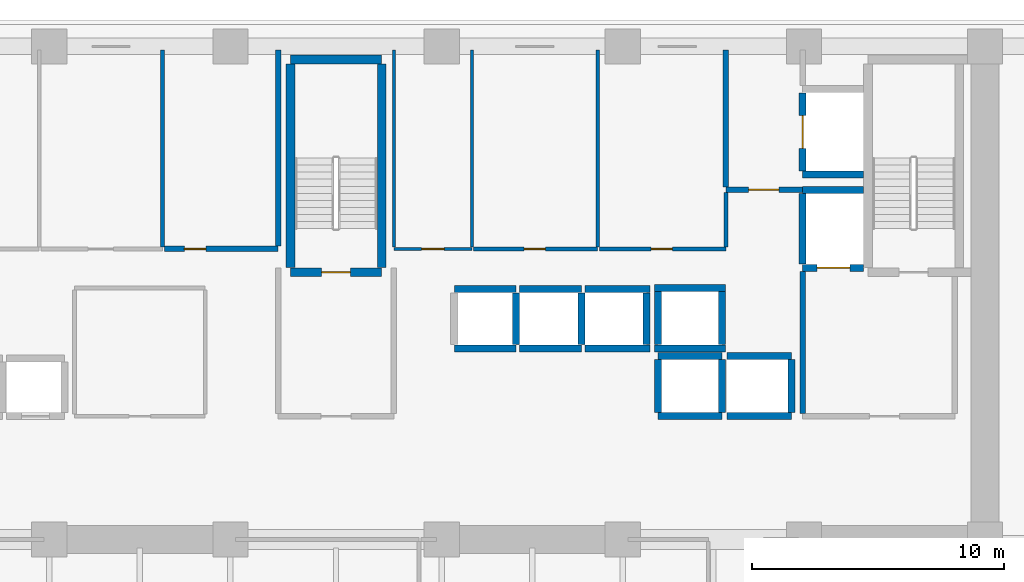
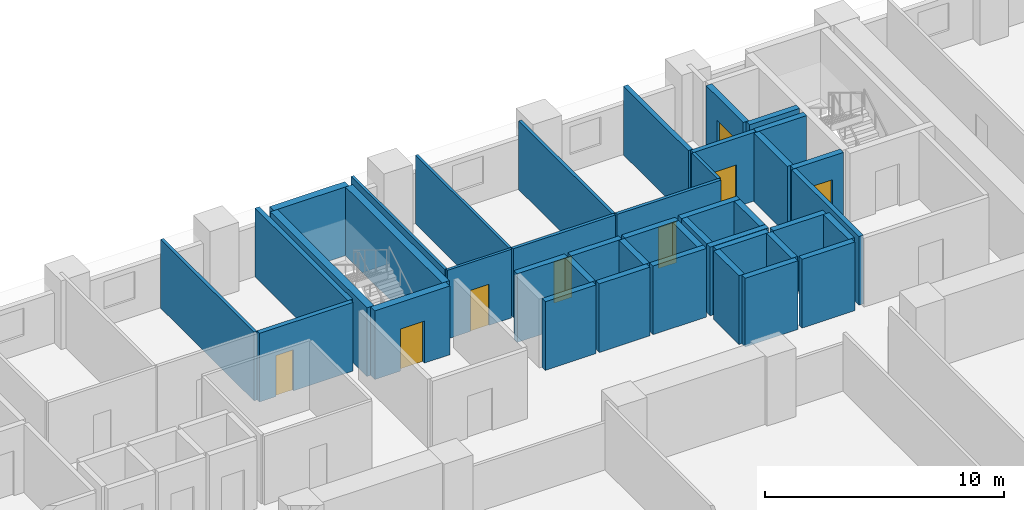
# One storey, part 8 of 15: 42 walls, 8 doors, 8 openings.
"""IFC4 building model written with IfcOpenShell, lengths in metres."""

from ifc_helpers import new_model, si_unit, direction, frame, frame_2d, origin, place, context, subcontext, project, spatial, rectangle, extrude, material, layer, layer_set, type_object, element, fill, save


model = new_model("IFC4")

# Units and contexts
model_context = context("Model", 3, precision=1e-05, world=origin(), true_north=direction((0.0, 1.0)))
body_context = subcontext(model_context, "Body", "Model", "MODEL_VIEW")
ifc_project = project(units=[si_unit("LENGTHUNIT", "METRE"), si_unit("AREAUNIT", "SQUARE_METRE"), si_unit("VOLUMEUNIT", "CUBIC_METRE"), si_unit("PLANEANGLEUNIT", "RADIAN"), si_unit("MASSUNIT", "GRAM", prefix="KILO")], contexts=[model_context])

# Site, building, storey
site_placement = place(None, origin())
site = spatial("IfcSite", under=ifc_project, at=site_placement, CompositionType="ELEMENT")
building_placement = place(site_placement, origin())
building = spatial("IfcBuilding", under=site, at=building_placement, Name="Kaelvorn Grand Hotel", CompositionType="ELEMENT")
storey_placement = place(building_placement, frame((0.0, 0.0, 65.14990234375)))
storey = spatial("IfcBuildingStorey", under=building, at=storey_placement, Name="L14", CompositionType="ELEMENT", Elevation=65.14990234375)

# Wall, opening, door
ifc_material_1 = material(Name="Moisture-Resistant Tile & Stud Board")
ifc_layer_1 = layer(ifc_material_1, 0.125)
ifc_layer_set_1 = layer_set([ifc_layer_1], Name="Moisture-Resistant Tile & Stud Board")
wall_type_1 = type_object("IfcWallType", Name="WL-PART-125-WET", PredefinedType="PARTITIONING", material=ifc_layer_set_1)
wall_1_placement = place(storey_placement, frame((44.300048828125, 40.949951171875, 0.0), z_axis=(0.0, 0.0, 1.0), x_axis=(1.0, 0.0, 0.0)))
wall_1 = element("IfcWall", 1, at=wall_1_placement, inside=storey, type_object=wall_type_1, Name="L14 Accessible WC S Partition", PredefinedType="PARTITIONING", context=body_context, shape_type="SweptSolid", body=[
    extrude(rectangle(XDim=3.099853515625, YDim=0.125, at=frame_2d((1.5498046875, 0.0))), origin(), (0.0, 0.0, 1.0), 3.510009765625),
])
opening_1_placement = place(wall_1_placement, frame((1.10009765625, 0.0, 0.0)))
opening_1 = element("IfcOpeningElement", 2, at=opening_1_placement, cuts=wall_1, Name="Opening DI4", PredefinedType="OPENING", context=body_context, shape_type="SweptSolid", body=[
    extrude(rectangle(XDim=0.89990234375, YDim=2.10009765625, at=frame_2d((0.449951171875, 1.050048828125))), frame((0.0, 0.072509765625, 0.0), z_axis=(0.0, -1.0, 0.0), x_axis=(1.0, 0.0, 0.0)), (0.0, 0.0, 1.0), 0.14501953125),
])
ifc_material_2 = material(Name="Timber Veneer Leaf", Category="wood")
door_type_1 = type_object("IfcDoorType", Name="DR-INT-BATH-900x2100", OperationType="NOTDEFINED", PredefinedType="DOOR", material=ifc_material_2)
door_1_placement = place(opening_1_placement, origin())
door_1 = element("IfcDoor", 3, at=door_1_placement, inside=storey, type_object=door_type_1, Name="L14 Accessible WC Door", OperationType="SINGLE_SWING_RIGHT", OverallHeight=2.10009765625, OverallWidth=0.89990234375, PredefinedType="DOOR", context=body_context, shape_type="SweptSolid", body=[
    extrude(rectangle(XDim=0.89990234375, YDim=2.10009765625, at=frame_2d((0.449951171875, 1.050048828125))), frame((0.0, 0.02490234375, 0.0), z_axis=(0.0, -1.0, 0.0), x_axis=(1.0, 0.0, 0.0)), (0.0, 0.0, 1.0), 0.050048828125),
])
fill(opening_1, door_1)

# Walls
for number, where, z_axis, x_axis, name in (
    (4, (44.300048828125, 41.017578125, 0.0), (0.0, 0.0, 1.0), (0.0, 1.0, 0.0), "L14 Accessible WC W Partition"),
    (5, (47.39990234375, 41.017578125, 0.0), (0.0, 0.0, 1.0), (0.0, 1.0, 0.0), "L14 Accessible WC E Partition"),
):
    element("IfcWall", number, at=place(storey_placement, frame(where, z_axis=z_axis, x_axis=x_axis)), inside=storey, type_object=wall_type_1, Name=name, PredefinedType="PARTITIONING", context=body_context, shape_type="SweptSolid", body=[
        extrude(rectangle(XDim=7.83251953125, YDim=0.125, at=frame_2d((3.916259765625, 0.0))), origin(), (0.0, 0.0, 1.0), 3.510009765625),
    ])
ifc_material_3 = material(Name="Acoustic Gypsum & Stud Partition")
ifc_layer_2 = layer(ifc_material_3, 0.14990234375)
ifc_layer_set_2 = layer_set([ifc_layer_2], Name="Acoustic Gypsum & Stud Partition")
wall_type_2 = type_object("IfcWallType", Name="WL-PART-150-EI60", PredefinedType="PARTITIONING", material=ifc_layer_set_2)
wall_2_placement = place(storey_placement, frame((35.10009765625, 41.030029296875, 0.0), z_axis=(0.0, 0.0, 1.0), x_axis=(0.0, 1.0, 0.0)))
element("IfcWall", 6, at=wall_2_placement, inside=storey, type_object=wall_type_2, Name="L14 Room Service Servery Pantry E Partition", PredefinedType="PARTITIONING", context=body_context, shape_type="SweptSolid", body=[
    extrude(rectangle(XDim=7.820068359375, YDim=0.14990234375, at=frame_2d((3.91015625, 0.0))), origin(), (0.0, 0.0, 1.0), 3.510009765625),
])

# Wall, opening, door
wall_3_placement = place(storey_placement, frame((47.467529296875, 40.949951171875, 0.0), z_axis=(0.0, 0.0, 1.0), x_axis=(1.0, 0.0, 0.0)))
wall_3 = element("IfcWall", 7, at=wall_3_placement, inside=storey, type_object=wall_type_2, Name="L14 Valet & Luggage Store S Partition", PredefinedType="PARTITIONING", context=body_context, shape_type="SweptSolid", body=[
    extrude(rectangle(XDim=4.932373046875, YDim=0.14990234375, at=frame_2d((2.46630859375, 0.0))), origin(), (0.0, 0.0, 1.0), 3.510009765625),
])
opening_2_placement = place(wall_3_placement, frame((2.007568359375, 0.0, 0.0)))
opening_2 = element("IfcOpeningElement", 8, at=opening_2_placement, cuts=wall_3, Name="Opening DI7", PredefinedType="OPENING", context=body_context, shape_type="SweptSolid", body=[
    extrude(rectangle(XDim=0.85009765625, YDim=2.10009765625, at=frame_2d((0.425048828125, 1.050048828125))), frame((0.0, 0.0849609375, 0.0), z_axis=(0.0, -1.0, 0.0), x_axis=(1.0, 0.0, 0.0)), (0.0, 0.0, 1.0), 0.169921875),
])
ifc_material_4 = material(Name="Powder-Coated Steel Leaf", Category="steel")
door_type_2 = type_object("IfcDoorType", Name="DR-INT-RISER-850x2100", OperationType="NOTDEFINED", PredefinedType="DOOR", material=ifc_material_4)
door_2_placement = place(opening_2_placement, origin())
door_2 = element("IfcDoor", 9, at=door_2_placement, inside=storey, type_object=door_type_2, Name="L14 Valet & Luggage Store Door", OperationType="SINGLE_SWING_LEFT", OverallHeight=2.10009765625, OverallWidth=0.85009765625, PredefinedType="DOOR", context=body_context, shape_type="SweptSolid", body=[
    extrude(rectangle(XDim=0.85009765625, YDim=2.10009765625, at=frame_2d((0.425048828125, 1.050048828125))), frame((0.0, 0.02490234375, 0.0), z_axis=(0.0, -1.0, 0.0), x_axis=(1.0, 0.0, 0.0)), (0.0, 0.0, 1.0), 0.050048828125),
])
fill(opening_2, door_2)

# Wall
wall_4_placement = place(storey_placement, frame((52.39990234375, 41.030029296875, 0.0), z_axis=(0.0, 0.0, 1.0), x_axis=(0.0, 1.0, 0.0)))
element("IfcWall", 10, at=wall_4_placement, inside=storey, type_object=wall_type_2, Name="L14 Valet & Luggage Store E Partition", PredefinedType="PARTITIONING", context=body_context, shape_type="SweptSolid", body=[
    extrude(rectangle(XDim=7.820068359375, YDim=0.14990234375, at=frame_2d((3.91015625, 0.0))), origin(), (0.0, 0.0, 1.0), 3.510009765625),
])

# Wall, opening, door
wall_5_placement = place(storey_placement, frame((52.47998046875, 40.949951171875, 0.0), z_axis=(0.0, 0.0, 1.0), x_axis=(1.0, 0.0, 0.0)))
wall_5 = element("IfcWall", 11, at=wall_5_placement, inside=storey, type_object=wall_type_2, Name="L14 Clean Utility & Amenity Store S Partition", PredefinedType="PARTITIONING", context=body_context, shape_type="SweptSolid", body=[
    extrude(rectangle(XDim=5.02001953125, YDim=0.14990234375, at=frame_2d((2.510009765625, 0.0))), origin(), (0.0, 0.0, 1.0), 3.510009765625),
])
opening_3_placement = place(wall_5_placement, frame((2.044921875, 0.0, 0.0)))
opening_3 = element("IfcOpeningElement", 12, at=opening_3_placement, cuts=wall_5, Name="Opening DI7", PredefinedType="OPENING", context=body_context, shape_type="SweptSolid", body=[
    extrude(rectangle(XDim=0.85009765625, YDim=2.10009765625, at=frame_2d((0.425048828125, 1.050048828125))), frame((0.0, 0.0849609375, 0.0), z_axis=(0.0, -1.0, 0.0), x_axis=(1.0, 0.0, 0.0)), (0.0, 0.0, 1.0), 0.169921875),
])
door_3_placement = place(opening_3_placement, origin())
door_3 = element("IfcDoor", 13, at=door_3_placement, inside=storey, type_object=door_type_2, Name="L14 Clean Utility & Amenity Store Door", OperationType="SINGLE_SWING_RIGHT", OverallHeight=2.10009765625, OverallWidth=0.85009765625, PredefinedType="DOOR", context=body_context, shape_type="SweptSolid", body=[
    extrude(rectangle(XDim=0.85009765625, YDim=2.10009765625, at=frame_2d((0.425048828125, 1.050048828125))), frame((0.0, 0.02490234375, 0.0), z_axis=(0.0, -1.0, 0.0), x_axis=(1.0, 0.0, 0.0)), (0.0, 0.0, 1.0), 0.050048828125),
])
fill(opening_3, door_3)

# Walls
wall_6_placement = place(storey_placement, frame((57.5, 41.030029296875, 0.0), z_axis=(0.0, 0.0, 1.0), x_axis=(0.0, 1.0, 0.0)))
element("IfcWall", 14, at=wall_6_placement, inside=storey, type_object=wall_type_2, Name="L14 Clean Utility & Amenity Store E Partition", PredefinedType="PARTITIONING", context=body_context, shape_type="SweptSolid", body=[
    extrude(rectangle(XDim=2.155029296875, YDim=0.14990234375, at=frame_2d((1.07763671875, 0.0))), origin(), (0.0, 0.0, 1.0), 3.510009765625),
])
ifc_material_5 = material(Name="Concrete C40/50", Category="concrete")
ifc_layer_3 = layer(ifc_material_5, 0.219970703125)
ifc_layer_set_3 = layer_set([ifc_layer_3], Name="Concrete C40/50")
wall_type_3 = type_object("IfcWallType", Name="WL-PART-220-EI120", PredefinedType="PARTITIONING", material=ifc_layer_set_3)
wall_7_placement = place(storey_placement, frame((60.550048828125, 34.4150390625, 0.0), z_axis=(0.0, 0.0, 1.0), x_axis=(0.0, 1.0, 0.0)))
element("IfcWall", 15, at=wall_7_placement, inside=storey, type_object=wall_type_3, Name="L14 Firefighting Lift Lobby 2 W Partition", PredefinedType="PARTITIONING", context=body_context, shape_type="SweptSolid", body=[
    extrude(rectangle(XDim=5.639892578125, YDim=0.219970703125, at=frame_2d((2.81982421875, 0.0))), origin(), (0.0, 0.0, 1.0), 3.510009765625),
])

# Wall, opening, door
wall_8_placement = place(storey_placement, frame((57.5, 43.300048828125, 0.0), z_axis=(0.0, 0.0, 1.0), x_axis=(1.0, 0.0, 0.0)))
wall_8 = element("IfcWall", 16, at=wall_8_placement, inside=storey, type_object=wall_type_3, Name="L14 Service Lift Lobby S Partition", PredefinedType="PARTITIONING", context=body_context, shape_type="SweptSolid", body=[
    extrude(rectangle(XDim=3.0400390625, YDim=0.219970703125, at=frame_2d((1.52001953125, 0.0))), origin(), (0.0, 0.0, 1.0), 3.510009765625),
])
opening_4_placement = place(wall_8_placement, frame((0.89990234375, 0.0, 0.0)))
opening_4 = element("IfcOpeningElement", 17, at=opening_4_placement, cuts=wall_8, Name="Opening DI2", PredefinedType="OPENING", context=body_context, shape_type="SweptSolid", body=[
    extrude(rectangle(XDim=1.199951171875, YDim=2.14990234375, at=frame_2d((0.60009765625, 1.074951171875))), frame((0.0, 0.1201171875, 0.0), z_axis=(0.0, -1.0, 0.0), x_axis=(1.0, 0.0, 0.0)), (0.0, 0.0, 1.0), 0.239990234375),
])
ifc_material_6 = material(Name="Timber Veneer Fire Leaf", Category="wood")
door_type_3 = type_object("IfcDoorType", Name="DR-INT-FFLOB-1200x2150", OperationType="NOTDEFINED", PredefinedType="DOOR", material=ifc_material_6)
door_4_placement = place(opening_4_placement, origin())
door_4 = element("IfcDoor", 18, at=door_4_placement, inside=storey, type_object=door_type_3, Name="L14 Service Lift Lobby Door", OperationType="SINGLE_SWING_LEFT", OverallHeight=2.14990234375, OverallWidth=1.199951171875, PredefinedType="DOOR", context=body_context, shape_type="SweptSolid", body=[
    extrude(rectangle(XDim=1.199951171875, YDim=2.14990234375, at=frame_2d((0.60009765625, 1.074951171875))), frame((0.0, 0.02490234375, 0.0), z_axis=(0.0, -1.0, 0.0), x_axis=(1.0, 0.0, 0.0)), (0.0, 0.0, 1.0), 0.050048828125),
])
fill(opening_4, door_4)

# Wall
wall_9_placement = place(storey_placement, frame((57.5, 43.4150390625, 0.0), z_axis=(0.0, 0.0, 1.0), x_axis=(0.0, 1.0, 0.0)))
element("IfcWall", 19, at=wall_9_placement, inside=storey, type_object=wall_type_3, Name="L14 Service Lift Lobby W Partition", PredefinedType="PARTITIONING", context=body_context, shape_type="SweptSolid", body=[
    extrude(rectangle(XDim=5.43505859375, YDim=0.219970703125, at=frame_2d((2.717529296875, 0.0))), origin(), (0.0, 0.0, 1.0), 3.510009765625),
])

# Wall, opening, door
wall_10_placement = place(storey_placement, frame((35.179931640625, 40.949951171875, 0.0), z_axis=(0.0, 0.0, 1.0), x_axis=(1.0, 0.0, 0.0)))
wall_10 = element("IfcWall", 20, at=wall_10_placement, inside=storey, type_object=wall_type_3, Name="L14 Floor Electrical Switchroom S Partition", PredefinedType="PARTITIONING", context=body_context, shape_type="SweptSolid", body=[
    extrude(rectangle(XDim=4.52001953125, YDim=0.219970703125, at=frame_2d((2.260009765625, 0.0))), origin(), (0.0, 0.0, 1.0), 3.510009765625),
])
opening_5_placement = place(wall_10_placement, frame((0.794921875, 0.0, 0.0)))
opening_5 = element("IfcOpeningElement", 21, at=opening_5_placement, cuts=wall_10, Name="Opening DI7", PredefinedType="OPENING", context=body_context, shape_type="SweptSolid", body=[
    extrude(rectangle(XDim=0.85009765625, YDim=2.10009765625, at=frame_2d((0.425048828125, 1.050048828125))), frame((0.0, 0.1201171875, 0.0), z_axis=(0.0, -1.0, 0.0), x_axis=(1.0, 0.0, 0.0)), (0.0, 0.0, 1.0), 0.239990234375),
])
door_5_placement = place(opening_5_placement, origin())
door_5 = element("IfcDoor", 22, at=door_5_placement, inside=storey, type_object=door_type_2, Name="L14 Floor Electrical Switchroom Door", OperationType="SINGLE_SWING_LEFT", OverallHeight=2.10009765625, OverallWidth=0.85009765625, PredefinedType="DOOR", context=body_context, shape_type="SweptSolid", body=[
    extrude(rectangle(XDim=0.85009765625, YDim=2.10009765625, at=frame_2d((0.425048828125, 1.050048828125))), frame((0.0, 0.02490234375, 0.0), z_axis=(0.0, -1.0, 0.0), x_axis=(1.0, 0.0, 0.0)), (0.0, 0.0, 1.0), 0.050048828125),
])
fill(opening_5, door_5)

# Walls
wall_11_placement = place(storey_placement, frame((39.699951171875, 41.06494140625, 0.0), z_axis=(0.0, 0.0, 1.0), x_axis=(0.0, 1.0, 0.0)))
element("IfcWall", 23, at=wall_11_placement, inside=storey, type_object=wall_type_3, Name="L14 Floor Electrical Switchroom E Partition", PredefinedType="PARTITIONING", context=body_context, shape_type="SweptSolid", body=[
    extrude(rectangle(XDim=7.78515625, YDim=0.219970703125, at=frame_2d((3.892578125, 0.0))), origin(), (0.0, 0.0, 1.0), 3.510009765625),
])
ifc_material_7 = material(Name="Concrete C50/60", Category="concrete")
ifc_layer_4 = layer(ifc_material_7, 0.280029296875)
ifc_layer_set_4 = layer_set([ifc_layer_4], Name="Concrete C50/60")
wall_type_4 = type_object("IfcWallType", Name="WL-SHAFT-280-C50", PredefinedType="SHEAR", material=ifc_layer_set_4)
for number, where, z_axis, x_axis, name in (
    (24, (46.699951171875, 37.0, 0.0), (0.0, 0.0, 1.0), (1.0, 0.0, 0.0), "L14 Lift SL-1 Shaft South Wall"),
    (25, (46.699951171875, 39.35009765625, 0.0), (0.0, 0.0, 1.0), (1.0, 0.0, 0.0), "L14 Lift SL-1 Shaft North Wall"),
):
    element("IfcWall", number, at=place(storey_placement, frame(where, z_axis=z_axis, x_axis=x_axis)), inside=storey, type_object=wall_type_4, Name=name, PredefinedType="SHEAR", context=body_context, shape_type="SweptSolid", body=[
        extrude(rectangle(XDim=2.449951171875, YDim=0.280029296875, at=frame_2d((1.22509765625, 0.0))), origin(), (0.0, 0.0, 1.0), 3.510009765625),
    ])
wall_12_placement = place(storey_placement, frame((49.14990234375, 37.14501953125, 0.0), z_axis=(0.0, 0.0, 1.0), x_axis=(0.0, 1.0, 0.0)))
element("IfcWall", 26, at=wall_12_placement, inside=storey, type_object=wall_type_4, Name="L14 Lift SL-1 Shaft East Wall", PredefinedType="SHEAR", context=body_context, shape_type="SweptSolid", body=[
    extrude(rectangle(XDim=2.06005859375, YDim=0.280029296875, at=frame_2d((1.030029296875, 0.0))), origin(), (0.0, 0.0, 1.0), 3.510009765625),
])
for number, where, z_axis, x_axis, name in (
    (27, (49.300048828125, 37.0, 0.0), (0.0, 0.0, 1.0), (1.0, 0.0, 0.0), "L14 Lift SL-2 Shaft South Wall"),
    (28, (49.300048828125, 39.35009765625, 0.0), (0.0, 0.0, 1.0), (1.0, 0.0, 0.0), "L14 Lift SL-2 Shaft North Wall"),
):
    element("IfcWall", number, at=place(storey_placement, frame(where, z_axis=z_axis, x_axis=x_axis)), inside=storey, type_object=wall_type_4, Name=name, PredefinedType="SHEAR", context=body_context, shape_type="SweptSolid", body=[
        extrude(rectangle(XDim=2.449951171875, YDim=0.280029296875, at=frame_2d((1.22509765625, 0.0))), origin(), (0.0, 0.0, 1.0), 3.510009765625),
    ])
wall_13_placement = place(storey_placement, frame((51.75, 37.14501953125, 0.0), z_axis=(0.0, 0.0, 1.0), x_axis=(0.0, 1.0, 0.0)))
element("IfcWall", 29, at=wall_13_placement, inside=storey, type_object=wall_type_4, Name="L14 Lift SL-2 Shaft East Wall", PredefinedType="SHEAR", context=body_context, shape_type="SweptSolid", body=[
    extrude(rectangle(XDim=2.06005859375, YDim=0.280029296875, at=frame_2d((1.030029296875, 0.0))), origin(), (0.0, 0.0, 1.0), 3.510009765625),
])
for number, where, z_axis, x_axis, name in (
    (30, (51.89990234375, 37.0, 0.0), (0.0, 0.0, 1.0), (1.0, 0.0, 0.0), "L14 Lift SL-3 Shaft South Wall"),
    (31, (51.89990234375, 39.35009765625, 0.0), (0.0, 0.0, 1.0), (1.0, 0.0, 0.0), "L14 Lift SL-3 Shaft North Wall"),
):
    element("IfcWall", number, at=place(storey_placement, frame(where, z_axis=z_axis, x_axis=x_axis)), inside=storey, type_object=wall_type_4, Name=name, PredefinedType="SHEAR", context=body_context, shape_type="SweptSolid", body=[
        extrude(rectangle(XDim=2.590087890625, YDim=0.280029296875, at=frame_2d((1.294921875, 0.0))), origin(), (0.0, 0.0, 1.0), 3.510009765625),
    ])
wall_14_placement = place(storey_placement, frame((54.35009765625, 37.14501953125, 0.0), z_axis=(0.0, 0.0, 1.0), x_axis=(0.0, 1.0, 0.0)))
element("IfcWall", 32, at=wall_14_placement, inside=storey, type_object=wall_type_4, Name="L14 Lift SL-3 Shaft East Wall", PredefinedType="SHEAR", context=body_context, shape_type="SweptSolid", body=[
    extrude(rectangle(XDim=2.06005859375, YDim=0.280029296875, at=frame_2d((1.030029296875, 0.0))), origin(), (0.0, 0.0, 1.0), 3.510009765625),
])
for number, where, z_axis, x_axis, name in (
    (33, (54.800048828125, 34.300048828125, 0.0), (0.0, 0.0, 1.0), (1.0, 0.0, 0.0), "L14 Lift OL-1 Shaft South Wall"),
    (34, (54.800048828125, 36.699951171875, 0.0), (0.0, 0.0, 1.0), (1.0, 0.0, 0.0), "L14 Lift OL-1 Shaft North Wall"),
):
    element("IfcWall", number, at=place(storey_placement, frame(where, z_axis=z_axis, x_axis=x_axis)), inside=storey, type_object=wall_type_4, Name=name, PredefinedType="SHEAR", context=body_context, shape_type="SweptSolid", body=[
        extrude(rectangle(XDim=2.550048828125, YDim=0.280029296875, at=frame_2d((1.27490234375, 0.0))), origin(), (0.0, 0.0, 1.0), 3.510009765625),
    ])
for number, where, z_axis, x_axis, name in (
    (35, (54.800048828125, 34.445068359375, 0.0), (0.0, 0.0, 1.0), (0.0, 1.0, 0.0), "L14 Lift OL-1 Shaft West Wall"),
    (36, (57.35009765625, 34.445068359375, 0.0), (0.0, 0.0, 1.0), (0.0, 1.0, 0.0), "L14 Lift OL-1 Shaft East Wall"),
):
    element("IfcWall", number, at=place(storey_placement, frame(where, z_axis=z_axis, x_axis=x_axis)), inside=storey, type_object=wall_type_4, Name=name, PredefinedType="SHEAR", context=body_context, shape_type="SweptSolid", body=[
        extrude(rectangle(XDim=2.10986328125, YDim=0.280029296875, at=frame_2d((1.054931640625, 0.0))), origin(), (0.0, 0.0, 1.0), 3.510009765625),
    ])
for number, where, z_axis, x_axis, name in (
    (37, (57.550048828125, 34.300048828125, 0.0), (0.0, 0.0, 1.0), (1.0, 0.0, 0.0), "L14 Lift OL-2 Shaft South Wall"),
    (38, (57.550048828125, 36.699951171875, 0.0), (0.0, 0.0, 1.0), (1.0, 0.0, 0.0), "L14 Lift OL-2 Shaft North Wall"),
):
    element("IfcWall", number, at=place(storey_placement, frame(where, z_axis=z_axis, x_axis=x_axis)), inside=storey, type_object=wall_type_4, Name=name, PredefinedType="SHEAR", context=body_context, shape_type="SweptSolid", body=[
        extrude(rectangle(XDim=2.550048828125, YDim=0.280029296875, at=frame_2d((1.27490234375, 0.0))), origin(), (0.0, 0.0, 1.0), 3.510009765625),
    ])
wall_15_placement = place(storey_placement, frame((60.10009765625, 34.445068359375, 0.0), z_axis=(0.0, 0.0, 1.0), x_axis=(0.0, 1.0, 0.0)))
element("IfcWall", 39, at=wall_15_placement, inside=storey, type_object=wall_type_4, Name="L14 Lift OL-2 Shaft East Wall", PredefinedType="SHEAR", context=body_context, shape_type="SweptSolid", body=[
    extrude(rectangle(XDim=2.10986328125, YDim=0.280029296875, at=frame_2d((1.054931640625, 0.0))), origin(), (0.0, 0.0, 1.0), 3.510009765625),
])
for number, where, z_axis, x_axis, name in (
    (40, (54.659912109375, 37.0, 0.0), (0.0, 0.0, 1.0), (1.0, 0.0, 0.0), "L14 Lift OL-3 Shaft South Wall"),
    (41, (54.659912109375, 39.39990234375, 0.0), (0.0, 0.0, 1.0), (1.0, 0.0, 0.0), "L14 Lift OL-3 Shaft North Wall"),
):
    element("IfcWall", number, at=place(storey_placement, frame(where, z_axis=z_axis, x_axis=x_axis)), inside=storey, type_object=wall_type_4, Name=name, PredefinedType="SHEAR", context=body_context, shape_type="SweptSolid", body=[
        extrude(rectangle(XDim=2.830078125, YDim=0.280029296875, at=frame_2d((1.4150390625, 0.0))), origin(), (0.0, 0.0, 1.0), 3.510009765625),
    ])
for number, where, z_axis, x_axis, name in (
    (42, (54.800048828125, 37.14501953125, 0.0), (0.0, 0.0, 1.0), (0.0, 1.0, 0.0), "L14 Lift OL-3 Shaft West Wall"),
    (43, (57.35009765625, 37.14501953125, 0.0), (0.0, 0.0, 1.0), (0.0, 1.0, 0.0), "L14 Lift OL-3 Shaft East Wall"),
):
    element("IfcWall", number, at=place(storey_placement, frame(where, z_axis=z_axis, x_axis=x_axis)), inside=storey, type_object=wall_type_4, Name=name, PredefinedType="SHEAR", context=body_context, shape_type="SweptSolid", body=[
        extrude(rectangle(XDim=2.10986328125, YDim=0.280029296875, at=frame_2d((1.054931640625, 0.0))), origin(), (0.0, 0.0, 1.0), 3.510009765625),
    ])

# Wall, opening, door
wall_16_placement = place(storey_placement, frame((60.550048828125, 40.199951171875, 0.0), z_axis=(0.0, 0.0, 1.0), x_axis=(1.0, 0.0, 0.0)))
wall_16 = element("IfcWall", 44, at=wall_16_placement, inside=storey, type_object=wall_type_4, Name="L14 Lift FFL2 Shaft South Wall", PredefinedType="SHEAR", context=body_context, shape_type="SweptSolid", body=[
    extrude(rectangle(XDim=2.4150390625, YDim=0.280029296875, at=frame_2d((1.20751953125, 0.0))), origin(), (0.0, 0.0, 1.0), 3.510009765625),
])
opening_6_placement = place(wall_16_placement, frame((0.574951171875, 0.0, 0.0)))
opening_6 = element("IfcOpeningElement", 45, at=opening_6_placement, cuts=wall_16, Name="Opening LD-FFL2", PredefinedType="OPENING", context=body_context, shape_type="SweptSolid", body=[
    extrude(rectangle(XDim=1.300048828125, YDim=2.300048828125, at=frame_2d((0.64990234375, 1.14990234375))), frame((0.0, 0.14990234375, 0.0), z_axis=(0.0, -1.0, 0.0), x_axis=(1.0, 0.0, 0.0)), (0.0, 0.0, 1.0), 0.300048828125),
])
ifc_material_8 = material(Name="Stainless Steel", Category="steel")
door_type_4 = type_object("IfcDoorType", Name="DR-LIFT-SERV-1300x2300", OperationType="DOUBLE_DOOR_SLIDING", PredefinedType="DOOR", material=ifc_material_8)
door_6_placement = place(opening_6_placement, origin())
door_6 = element("IfcDoor", 46, at=door_6_placement, inside=storey, type_object=door_type_4, Name="L14 Lift FFL2 Sliding Landing Door LD-FFL2", OperationType="DOUBLE_DOOR_SLIDING", OverallHeight=2.300048828125, OverallWidth=1.300048828125, PredefinedType="DOOR", context=body_context, shape_type="SweptSolid", body=[
    extrude(rectangle(XDim=1.300048828125, YDim=2.300048828125, at=frame_2d((0.64990234375, 1.14990234375))), frame((0.0, 0.02490234375, 0.0), z_axis=(0.0, -1.0, 0.0), x_axis=(1.0, 0.0, 0.0)), (0.0, 0.0, 1.0), 0.050048828125),
])
fill(opening_6, door_6)

# Walls
wall_17_placement = place(storey_placement, frame((60.550048828125, 43.300048828125, 0.0), z_axis=(0.0, 0.0, 1.0), x_axis=(1.0, 0.0, 0.0)))
element("IfcWall", 47, at=wall_17_placement, inside=storey, type_object=wall_type_4, Name="L14 Lift FFL2 Shaft North Wall", PredefinedType="SHEAR", context=body_context, shape_type="SweptSolid", body=[
    extrude(rectangle(XDim=2.4150390625, YDim=0.280029296875, at=frame_2d((1.20751953125, 0.0))), origin(), (0.0, 0.0, 1.0), 3.510009765625),
])
wall_18_placement = place(storey_placement, frame((60.550048828125, 40.344970703125, 0.0), z_axis=(0.0, 0.0, 1.0), x_axis=(0.0, 1.0, 0.0)))
element("IfcWall", 48, at=wall_18_placement, inside=storey, type_object=wall_type_4, Name="L14 Lift FFL2 Shaft West Wall", PredefinedType="SHEAR", context=body_context, shape_type="SweptSolid", body=[
    extrude(rectangle(XDim=2.81005859375, YDim=0.280029296875, at=frame_2d((1.405029296875, 0.0))), origin(), (0.0, 0.0, 1.0), 3.510009765625),
])
wall_19_placement = place(storey_placement, frame((60.550048828125, 43.89990234375, 0.0), z_axis=(0.0, 0.0, 1.0), x_axis=(1.0, 0.0, 0.0)))
element("IfcWall", 49, at=wall_19_placement, inside=storey, type_object=wall_type_4, Name="L14 Lift SV1 Shaft South Wall", PredefinedType="SHEAR", context=body_context, shape_type="SweptSolid", body=[
    extrude(rectangle(XDim=2.4150390625, YDim=0.280029296875, at=frame_2d((1.20751953125, 0.0))), origin(), (0.0, 0.0, 1.0), 3.510009765625),
])

# Wall, opening, door
wall_20_placement = place(storey_placement, frame((60.550048828125, 44.044921875, 0.0), z_axis=(0.0, 0.0, 1.0), x_axis=(0.0, 1.0, 0.0)))
wall_20 = element("IfcWall", 50, at=wall_20_placement, inside=storey, type_object=wall_type_4, Name="L14 Lift SV1 Shaft West Wall", PredefinedType="SHEAR", context=body_context, shape_type="SweptSolid", body=[
    extrude(rectangle(XDim=3.110107421875, YDim=0.280029296875, at=frame_2d((1.55517578125, 0.0))), origin(), (0.0, 0.0, 1.0), 3.510009765625),
])
opening_7_placement = place(wall_20_placement, frame((0.905029296875, 0.0, 0.0)))
opening_7 = element("IfcOpeningElement", 51, at=opening_7_placement, cuts=wall_20, Name="Opening LD-SV1", PredefinedType="OPENING", context=body_context, shape_type="SweptSolid", body=[
    extrude(rectangle(XDim=1.300048828125, YDim=2.300048828125, at=frame_2d((0.64990234375, 1.14990234375))), frame((0.0, 0.14990234375, 0.0), z_axis=(0.0, -1.0, 0.0), x_axis=(1.0, 0.0, 0.0)), (0.0, 0.0, 1.0), 0.300048828125),
])
door_7_placement = place(opening_7_placement, origin())
door_7 = element("IfcDoor", 52, at=door_7_placement, inside=storey, type_object=door_type_4, Name="L14 Lift SV1 Sliding Landing Door LD-SV1", OperationType="DOUBLE_DOOR_SLIDING", OverallHeight=2.300048828125, OverallWidth=1.300048828125, PredefinedType="DOOR", context=body_context, shape_type="SweptSolid", body=[
    extrude(rectangle(XDim=1.300048828125, YDim=2.300048828125, at=frame_2d((0.64990234375, 1.14990234375))), frame((0.0, 0.02490234375, 0.0), z_axis=(0.0, -1.0, 0.0), x_axis=(1.0, 0.0, 0.0)), (0.0, 0.0, 1.0), 0.050048828125),
])
fill(opening_7, door_7)

ifc_material_9 = material(Name="Concrete C60/75", Category="concrete")
ifc_layer_5 = layer(ifc_material_9, 0.35009765625)
ifc_layer_set_5 = layer_set([ifc_layer_5], Name="Concrete C60/75")
wall_type_5 = type_object("IfcWallType", Name="WL-SHAFT-350-C60", PredefinedType="SHEAR", material=ifc_layer_set_5)
wall_21_placement = place(storey_placement, frame((40.18505859375, 40.02490234375, 0.0), z_axis=(0.0, 0.0, 1.0), x_axis=(1.0, 0.0, 0.0)))
wall_21 = element("IfcWall", 53, at=wall_21_placement, inside=storey, type_object=wall_type_5, Name="L14 ST2 Stair Shaft South Wall", PredefinedType="SHEAR", context=body_context, shape_type="SweptSolid", body=[
    extrude(rectangle(XDim=3.6298828125, YDim=0.35009765625, at=frame_2d((1.81494140625, 0.0))), origin(), (0.0, 0.0, 1.0), 3.510009765625),
])
opening_8_placement = place(wall_21_placement, frame((1.239990234375, 0.0, 0.0)))
opening_8 = element("IfcOpeningElement", 54, at=opening_8_placement, cuts=wall_21, Name="Opening DI1", PredefinedType="OPENING", context=body_context, shape_type="SweptSolid", body=[
    extrude(rectangle(XDim=1.14990234375, YDim=2.14990234375, at=frame_2d((0.574951171875, 1.074951171875))), frame((0.0, 0.18505859375, 0.0), z_axis=(0.0, -1.0, 0.0), x_axis=(1.0, 0.0, 0.0)), (0.0, 0.0, 1.0), 0.3701171875),
])
door_type_5 = type_object("IfcDoorType", Name="DR-INT-STAIR-1150x2150", OperationType="NOTDEFINED", PredefinedType="DOOR", material=ifc_material_6)
door_8_placement = place(opening_8_placement, origin())
door_8 = element("IfcDoor", 55, at=door_8_placement, inside=storey, type_object=door_type_5, Name="L14 ST2 Exit Stair Fire Door", OperationType="SINGLE_SWING_RIGHT", OverallHeight=2.14990234375, OverallWidth=1.14990234375, PredefinedType="DOOR", context=body_context, shape_type="SweptSolid", body=[
    extrude(rectangle(XDim=1.14990234375, YDim=2.14990234375, at=frame_2d((0.574951171875, 1.074951171875))), frame((0.0, 0.02490234375, 0.0), z_axis=(0.0, -1.0, 0.0), x_axis=(1.0, 0.0, 0.0)), (0.0, 0.0, 1.0), 0.050048828125),
])
fill(opening_8, door_8)

# Walls
wall_22_placement = place(storey_placement, frame((40.18505859375, 48.47509765625, 0.0), z_axis=(0.0, 0.0, 1.0), x_axis=(1.0, 0.0, 0.0)))
element("IfcWall", 56, at=wall_22_placement, inside=storey, type_object=wall_type_5, Name="L14 ST2 Stair Shaft North Wall", PredefinedType="SHEAR", context=body_context, shape_type="SweptSolid", body=[
    extrude(rectangle(XDim=3.6298828125, YDim=0.35009765625, at=frame_2d((1.81494140625, 0.0))), origin(), (0.0, 0.0, 1.0), 3.510009765625),
])
for number, where, z_axis, x_axis, name in (
    (57, (40.18505859375, 40.205078125, 0.0), (0.0, 0.0, 1.0), (0.0, 1.0, 0.0), "L14 ST2 Stair Shaft West Wall"),
    (58, (43.81494140625, 40.205078125, 0.0), (0.0, 0.0, 1.0), (0.0, 1.0, 0.0), "L14 ST2 Stair Shaft East Wall"),
):
    element("IfcWall", number, at=place(storey_placement, frame(where, z_axis=z_axis, x_axis=x_axis)), inside=storey, type_object=wall_type_5, Name=name, PredefinedType="SHEAR", context=body_context, shape_type="SweptSolid", body=[
        extrude(rectangle(XDim=8.08984375, YDim=0.35009765625, at=frame_2d((4.044921875, 0.0))), origin(), (0.0, 0.0, 1.0), 3.510009765625),
    ])

save(model, "model.ifc")
